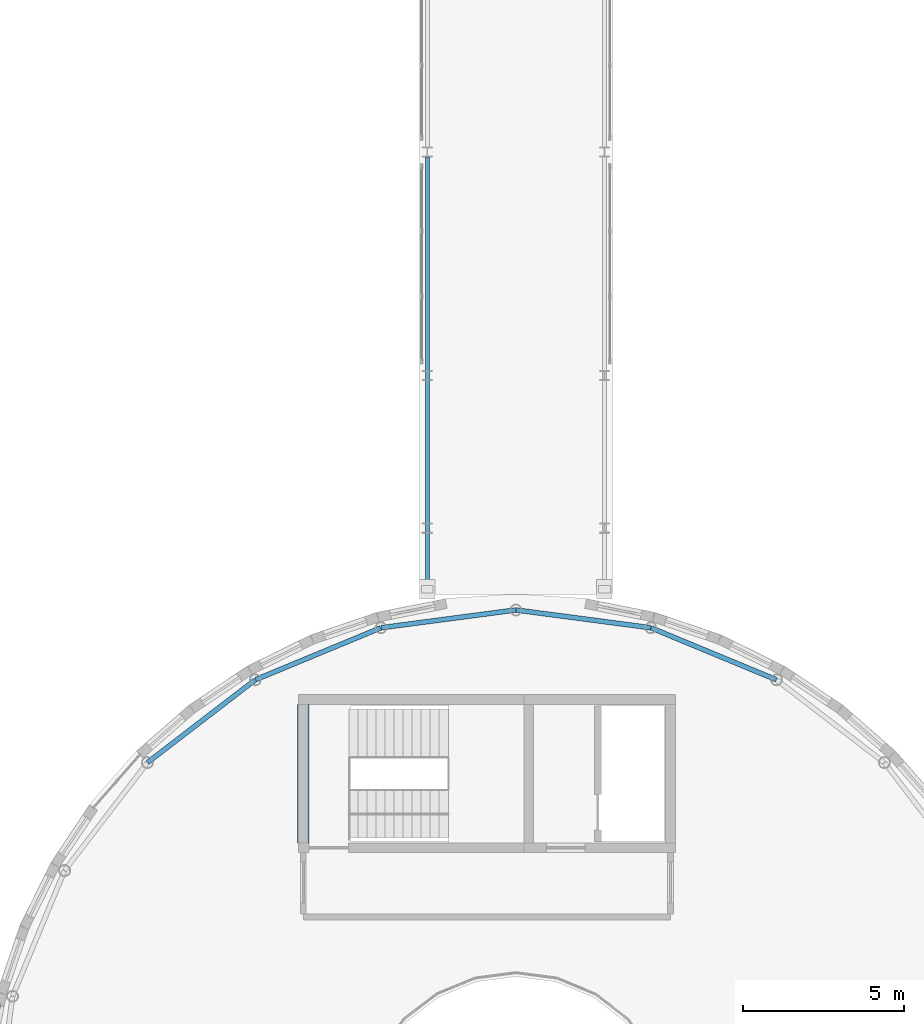
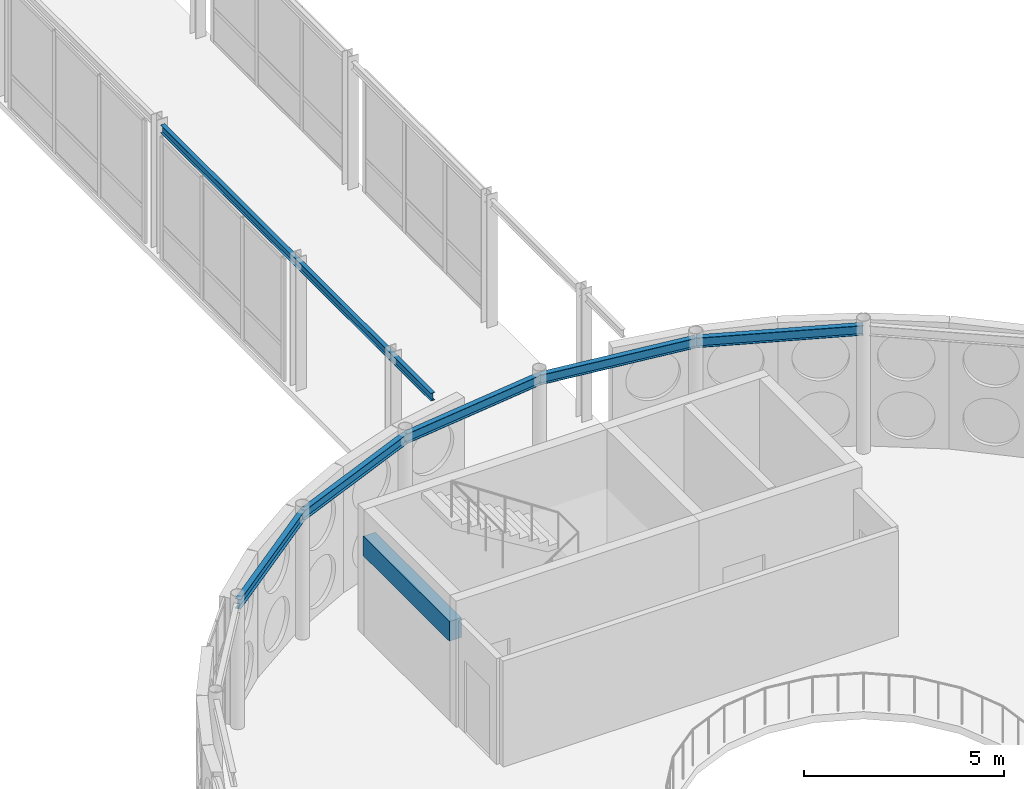
# One storey, part 57 of 165: 7 beams.
"""IFC4 building model written with IfcOpenShell, lengths in metres."""

from ifc_helpers import new_model, si_unit, direction, frame, origin, origin_2d, place, context, subcontext, project, spatial, rectangle, i_section, extrude, material, material_profile, profile_set, type_object, element, save


model = new_model("IFC4")

# Units and contexts
model_context = context("Model", 3, precision=1e-05, world=origin(), true_north=direction((0.0, 1.0)))
body_context = subcontext(model_context, "Body", "Model", "MODEL_VIEW")
ifc_project = project(units=[si_unit("LENGTHUNIT", "METRE"), si_unit("AREAUNIT", "SQUARE_METRE"), si_unit("VOLUMEUNIT", "CUBIC_METRE"), si_unit("PLANEANGLEUNIT", "RADIAN"), si_unit("MASSUNIT", "GRAM", prefix="KILO")], contexts=[model_context])

# Site, building, storey
site_placement = place(None, origin())
site = spatial("IfcSite", under=ifc_project, at=site_placement, CompositionType="ELEMENT")
building_placement = place(site_placement, origin())
building = spatial("IfcBuilding", under=site, at=building_placement, Name="Montecoro Central Library", CompositionType="ELEMENT")
storey_placement = place(building_placement, frame((0.0, 0.0, 5.10009765625)))
storey = spatial("IfcBuildingStorey", under=building, at=storey_placement, Name="L01", CompositionType="ELEMENT", Elevation=5.10009765625)

# Beams
ifc_material_1 = material(Name="Concrete C35/45", Category="concrete")
ifc_material_profile_1 = material_profile(ifc_material_1, rectangle(XDim=0.35009765625, YDim=0.60009765625, at=origin_2d()), Name="RC LNT 600x350")
ifc_profile_set_1 = profile_set([ifc_material_profile_1], Name="Concrete C35/45")
beam_type_1 = type_object("IfcBeamType", Name="BM-LN-RC01", PredefinedType="LINTEL", material=ifc_profile_set_1)
beam_1_placement = place(storey_placement, frame((85.0, 44.35009765625, 2.75), z_axis=(0.0, 1.0, 0.0), x_axis=(-1.0, 0.0, 0.0)))
element("IfcBeam", 1, at=beam_1_placement, inside=storey, type_object=beam_type_1, Name="C1-L01-LNT", PredefinedType="LINTEL", context=body_context, shape_type="SweptSolid", body=[
    extrude(rectangle(XDim=0.35009765625, YDim=0.60009765625, at=origin_2d()), origin(), (0.0, 0.0, 1.0), 4.2998046875),
])
ifc_material_2 = material(Name="Steel S355", Category="steel")
ifc_material_profile_2 = material_profile(ifc_material_2, i_section(OverallWidth=0.1201171875, OverallDepth=0.239990234375, WebThickness=0.006103515625, FlangeThickness=0.009765625, at=origin_2d()), Name="IPE 240")
ifc_profile_set_2 = profile_set([ifc_material_profile_2], Name="Steel S355")
beam_type_2 = type_object("IfcBeamType", Name="BM-SP-IPE240", PredefinedType="SPANDREL", material=ifc_profile_set_2)
beam_2_placement = place(storey_placement, frame((88.85009765625, 52.139892578125, 3.77490234375), z_axis=(0.0, 1.0, 0.0), x_axis=(-1.0, 0.0, 0.0)))
element("IfcBeam", 2, at=beam_2_placement, inside=storey, type_object=beam_type_2, Name="BR-N-L02-BM-W1", PredefinedType="SPANDREL", context=body_context, shape_type="SweptSolid", body=[
    extrude(i_section(OverallWidth=0.1201171875, OverallDepth=0.239990234375, WebThickness=0.006103515625, FlangeThickness=0.009765625, at=origin_2d()), origin(), (0.0, 0.0, 1.0), 13.5),
])
ifc_material_profile_3 = material_profile(ifc_material_2, i_section(OverallWidth=0.14990234375, OverallDepth=0.300048828125, WebThickness=0.007080078125, FlangeThickness=0.0107421875, at=origin_2d()), Name="IPE 300")
ifc_profile_set_3 = profile_set([ifc_material_profile_3], Name="Steel S355")
beam_type_3 = type_object("IfcBeamType", Name="BM-SP-IPE300", PredefinedType="SPANDREL", material=ifc_profile_set_3)
beam_3_placement = place(storey_placement, frame((99.680908203125, 49.416015625, 3.704833984375), z_axis=(-0.923865350906, 0.382717667995, 0.0), x_axis=(-0.382717667995, -0.923865350906, 0.0)))
element("IfcBeam", 3, at=beam_3_placement, inside=storey, type_object=beam_type_3, Name="V1-L01-RING-05", PredefinedType="SPANDREL", context=body_context, shape_type="SweptSolid", body=[
    extrude(i_section(OverallWidth=0.14990234375, OverallDepth=0.300048828125, WebThickness=0.007080078125, FlangeThickness=0.0107421875, at=origin_2d()), origin(), (0.0, 0.0, 1.0), 4.203857421875),
])
for number, where, z_axis, x_axis, name in (
    (4, (95.778076171875, 51.030029296875, 3.704833984375), (-0.99143412197, 0.130607740177, 0.0), (-0.130607740177, -0.99143412197, 0.0), "V1-L01-RING-06"),
    (5, (91.590087890625, 51.5791015625, 3.704833984375), (-0.99143412197, -0.130607740177, 0.0), (0.130607740177, -0.99143412197, 0.0), "V1-L01-RING-07"),
    (6, (87.403076171875, 51.02490234375, 3.704833984375), (-0.923873856706, -0.382697134684, 0.0), (0.382697134684, -0.923873856706, 0.0), "V1-L01-RING-08"),
):
    element("IfcBeam", number, at=place(storey_placement, frame(where, z_axis=z_axis, x_axis=x_axis)), inside=storey, type_object=beam_type_3, Name=name, PredefinedType="SPANDREL", context=body_context, shape_type="SweptSolid", body=[
        extrude(i_section(OverallWidth=0.14990234375, OverallDepth=0.300048828125, WebThickness=0.007080078125, FlangeThickness=0.0107421875, at=origin_2d()), origin(), (0.0, 0.0, 1.0), 4.2041015625),
    ])
beam_4_placement = place(storey_placement, frame((83.501953125, 49.406005859375, 3.704833984375), z_axis=(-0.793344551064, -0.608772883181, 0.0), x_axis=(0.608772883181, -0.793344551064, 0.0)))
element("IfcBeam", 7, at=beam_4_placement, inside=storey, type_object=beam_type_3, Name="V1-L01-RING-09", PredefinedType="SPANDREL", context=body_context, shape_type="SweptSolid", body=[
    extrude(i_section(OverallWidth=0.14990234375, OverallDepth=0.300048828125, WebThickness=0.007080078125, FlangeThickness=0.0107421875, at=origin_2d()), origin(), (0.0, 0.0, 1.0), 4.20361328125),
])

save(model, "model.ifc")
